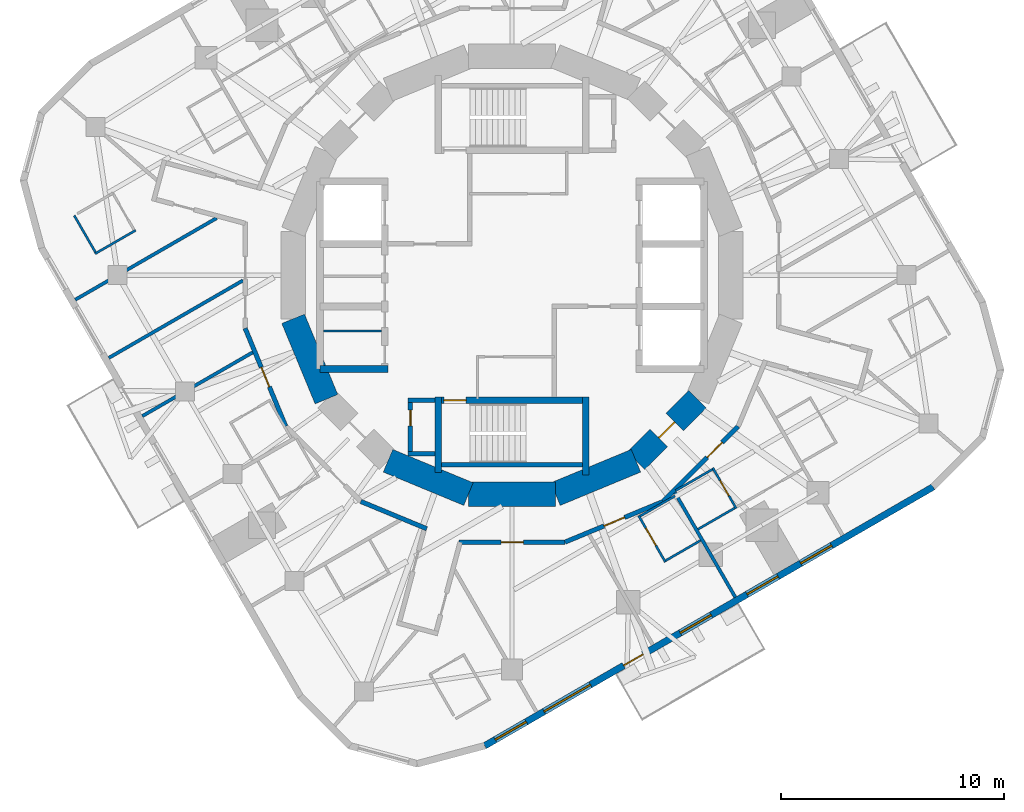
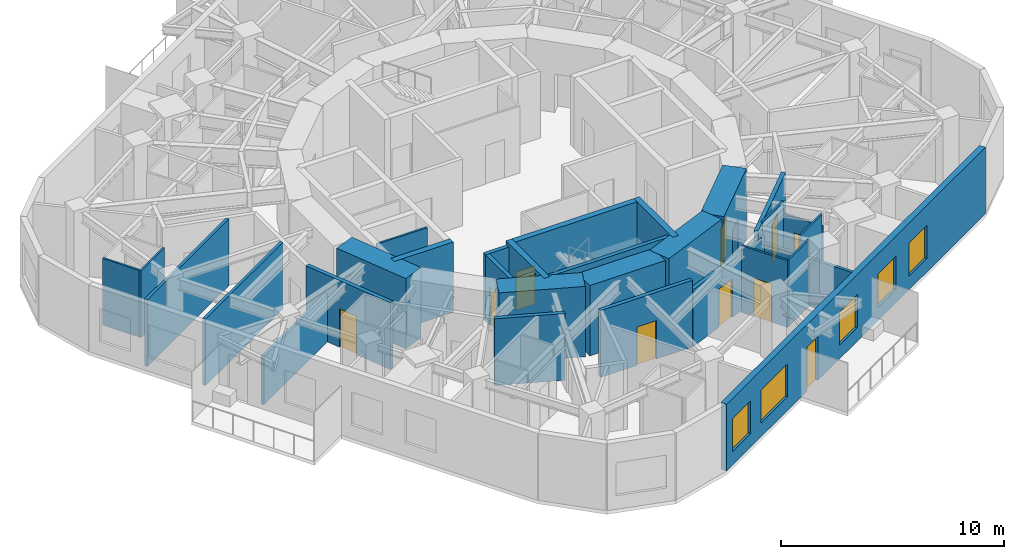
# One storey, part 5 of 12: 32 walls, 10 doors, 5 windows, 15 openings.
"""IFC4 building model written with IfcOpenShell, lengths in metres."""

from ifc_helpers import new_model, si_unit, direction, frame, frame_2d, origin, place, context, subcontext, project, spatial, rectangle, extrude, material, layer, layer_set, type_object, element, fill, save


model = new_model("IFC4")

# Units and contexts
model_context = context("Model", 3, precision=1e-05, world=origin(), true_north=direction((0.0, 1.0)))
body_context = subcontext(model_context, "Body", "Model", "MODEL_VIEW")
ifc_project = project(units=[si_unit("LENGTHUNIT", "METRE"), si_unit("AREAUNIT", "SQUARE_METRE"), si_unit("VOLUMEUNIT", "CUBIC_METRE"), si_unit("PLANEANGLEUNIT", "RADIAN"), si_unit("MASSUNIT", "GRAM", prefix="KILO")], contexts=[model_context])

# Site, building, storey
site_placement = place(None, origin())
site = spatial("IfcSite", under=ifc_project, at=site_placement, CompositionType="ELEMENT")
building_placement = place(site_placement, origin())
building = spatial("IfcBuilding", under=site, at=building_placement, Name="Nakasero Lantern House", CompositionType="ELEMENT")
storey_placement = place(building_placement, frame((0.0, 0.0, 226.949951171875)))
storey = spatial("IfcBuildingStorey", under=building, at=storey_placement, Name="L55", CompositionType="ELEMENT", Elevation=226.949951171875)

# Wall
ifc_material_1 = material(Name="Concrete C50/60", Category="concrete")
ifc_layer_1 = layer(ifc_material_1, 0.300048828125)
ifc_layer_set_1 = layer_set([ifc_layer_1], Name="Core inner wall 300")
wall_type_1 = type_object("IfcWallType", Name="Core inner wall 300", PredefinedType="SHEAR", material=ifc_layer_set_1)
wall_1_placement = place(storey_placement, frame((-8.60009765625, -4.199951171875, 0.0), z_axis=(0.0, 0.0, 1.0), x_axis=(1.0, 0.0, 0.0)))
element("IfcWall", 1, at=wall_1_placement, inside=storey, type_object=wall_type_1, Name="Core inner wall L55 LWS", PredefinedType="SHEAR", context=body_context, shape_type="SweptSolid", body=[
    extrude(rectangle(XDim=3.050048828125, YDim=0.300048828125, at=frame_2d((1.52490234375, 0.0))), origin(), (0.0, 0.0, 1.0), 3.85009765625),
])

# Wall, opening, door
wall_2_placement = place(storey_placement, frame((-3.449951171875, -5.60009765625, 0.0), z_axis=(0.0, 0.0, 1.0), x_axis=(1.0, 0.0, 0.0)))
wall_2 = element("IfcWall", 2, at=wall_2_placement, inside=storey, type_object=wall_type_1, Name="Core inner wall L55 SS", PredefinedType="SHEAR", context=body_context, shape_type="SweptSolid", body=[
    extrude(rectangle(XDim=6.89990234375, YDim=0.300048828125, at=frame_2d((3.449951171875, 0.0))), origin(), (0.0, 0.0, 1.0), 3.85009765625),
])
opening_1_placement = place(wall_2_placement, frame((0.39990234375, 0.0, 0.0)))
opening_1 = element("IfcOpeningElement", 3, at=opening_1_placement, cuts=wall_2, Name="Opening D05", PredefinedType="OPENING", context=body_context, shape_type="SweptSolid", body=[
    extrude(rectangle(XDim=1.0, YDim=2.10009765625, at=frame_2d((0.5, 1.050048828125))), frame((0.0, 0.169921875, 0.0), z_axis=(0.0, -1.0, 0.0), x_axis=(1.0, 0.0, 0.0)), (0.0, 0.0, 1.0), 0.340087890625),
])
ifc_material_2 = material(Name="Timber C24", Category="wood")
door_type_1 = type_object("IfcDoorType", Name="Core door FD60S 1000", OperationType="SINGLE_SWING_LEFT", PredefinedType="DOOR", material=ifc_material_2)
door_1_placement = place(opening_1_placement, origin())
door_1 = element("IfcDoor", 4, at=door_1_placement, inside=storey, type_object=door_type_1, Name="Door L55 D-ST2", OperationType="SINGLE_SWING_LEFT", OverallHeight=2.10009765625, OverallWidth=1.0, PredefinedType="DOOR", context=body_context, shape_type="SweptSolid", body=[
    extrude(rectangle(XDim=1.0, YDim=2.10009765625, at=frame_2d((0.5, 1.050048828125))), frame((0.0, 0.02490234375, 0.0), z_axis=(0.0, -1.0, 0.0), x_axis=(1.0, 0.0, 0.0)), (0.0, 0.0, 1.0), 0.050048828125),
])
fill(opening_1, door_1)

# Walls
wall_3_placement = place(storey_placement, frame((-3.300048828125, -5.449951171875, 0.0), z_axis=(0.0, 0.0, 1.0), x_axis=(0.0, -1.0, 0.0)))
element("IfcWall", 5, at=wall_3_placement, inside=storey, type_object=wall_type_1, Name="Core inner wall L55 SSW", PredefinedType="SHEAR", context=body_context, shape_type="SweptSolid", body=[
    extrude(rectangle(XDim=3.400146484375, YDim=0.300048828125, at=frame_2d((1.7001953125, 0.0))), origin(), (0.0, 0.0, 1.0), 3.85009765625),
])
wall_4_placement = place(storey_placement, frame((3.300048828125, -5.449951171875, 0.0), z_axis=(0.0, 0.0, 1.0), x_axis=(0.0, -1.0, 0.0)))
element("IfcWall", 6, at=wall_4_placement, inside=storey, type_object=wall_type_1, Name="Core inner wall L55 SSE", PredefinedType="SHEAR", context=body_context, shape_type="SweptSolid", body=[
    extrude(rectangle(XDim=3.5, YDim=0.300048828125, at=frame_2d((1.75, 0.0))), origin(), (0.0, 0.0, 1.0), 3.85009765625),
])
ifc_material_3 = material(Name="Blockwork", Category="masonry")
ifc_layer_2 = layer(ifc_material_3, 0.10009765625)
ifc_layer_set_2 = layer_set([ifc_layer_2], Name="Core room wall 100")
wall_type_2 = type_object("IfcWallType", Name="Core room wall 100", PredefinedType="PARTITIONING", material=ifc_layer_set_2)
wall_5_placement = place(storey_placement, frame((-8.449951171875, -2.5, 0.0), z_axis=(0.0, 0.0, 1.0), x_axis=(1.0, 0.0, 0.0)))
element("IfcWall", 7, at=wall_5_placement, inside=storey, type_object=wall_type_2, Name="Core room wall L55 CR-SH-LW1b", PredefinedType="PARTITIONING", context=body_context, shape_type="SweptSolid", body=[
    extrude(rectangle(XDim=2.599853515625, YDim=0.10009765625, at=frame_2d((1.2998046875, 0.0))), origin(), (0.0, 0.0, 1.0), 3.650146484375),
])
ifc_material_4 = material(Name="Concrete C50/60", Category="concrete")
ifc_layer_3 = layer(ifc_material_4, 1.10009765625)
ifc_layer_set_3 = layer_set([ifc_layer_3], Name="Core wall 1100")
wall_type_3 = type_object("IfcWallType", Name="Core wall 1100", PredefinedType="SHEAR", material=ifc_layer_set_3)
for number, where, z_axis, x_axis, name in (
    (8, (-9.807861328125, -1.950927734375, 0.0), (0.0, 0.0, 1.0), (0.382690736062, -0.923876507187, 0.0), "Core wall L55 facet 9"),
    (9, (-5.5556640625, -8.314697265625, 0.0), (0.0, 0.0, 1.0), (0.923876507187, -0.382690736062, 0.0), "Core wall L55 facet 11"),
    (10, (-1.950927734375, -9.807861328125, 0.0), (0.0, 0.0, 1.0), (1.0, 0.0, 0.0), "Core wall L55 facet 12"),
    (11, (1.950927734375, -9.807861328125, 0.0), (0.0, 0.0, 1.0), (0.923876507187, 0.382690736062, 0.0), "Core wall L55 facet 13"),
):
    element("IfcWall", number, at=place(storey_placement, frame(where, z_axis=z_axis, x_axis=x_axis)), inside=storey, type_object=wall_type_3, Name=name, PredefinedType="SHEAR", context=body_context, shape_type="SweptSolid", body=[
        extrude(rectangle(XDim=3.90185546875, YDim=1.10009765625, at=frame_2d((1.950927734375, 0.0))), origin(), (0.0, 0.0, 1.0), 3.85009765625),
    ])

# Wall, opening, door
wall_6_placement = place(storey_placement, frame((5.5556640625, -8.314697265625, 0.0), z_axis=(0.0, 0.0, 1.0), x_axis=(0.707106781187, 0.707106781187, 0.0)))
wall_6 = element("IfcWall", 12, at=wall_6_placement, inside=storey, type_object=wall_type_3, Name="Core wall L55 facet 14", PredefinedType="SHEAR", context=body_context, shape_type="SweptSolid", body=[
    extrude(rectangle(XDim=3.90185546875, YDim=1.10009765625, at=frame_2d((1.950927734375, 0.0))), origin(), (0.0, 0.0, 1.0), 3.85009765625),
])
opening_2_placement = place(wall_6_placement, frame((1.450927734375, 0.0, 0.0)))
opening_2 = element("IfcOpeningElement", 13, at=opening_2_placement, cuts=wall_6, Name="Opening D05", PredefinedType="OPENING", context=body_context, shape_type="SweptSolid", body=[
    extrude(rectangle(XDim=1.0, YDim=2.10009765625, at=frame_2d((0.5, 1.050048828125))), frame((0.0, 0.570068359375, 0.0), z_axis=(0.0, -1.0, 0.0), x_axis=(1.0, 0.0, 0.0)), (0.0, 0.0, 1.0), 1.14013671875),
])
door_2_placement = place(opening_2_placement, origin())
door_2 = element("IfcDoor", 14, at=door_2_placement, inside=storey, type_object=door_type_1, Name="Door L55 D-CORE14", OperationType="SINGLE_SWING_LEFT", OverallHeight=2.10009765625, OverallWidth=1.0, PredefinedType="DOOR", context=body_context, shape_type="SweptSolid", body=[
    extrude(rectangle(XDim=1.0, YDim=2.10009765625, at=frame_2d((0.5, 1.050048828125))), frame((0.0, 0.02490234375, 0.0), z_axis=(0.0, -1.0, 0.0), x_axis=(1.0, 0.0, 0.0)), (0.0, 0.0, 1.0), 0.050048828125),
])
fill(opening_2, door_2)

ifc_material_5 = material(Name="Blockwork", Category="masonry")
ifc_layer_4 = layer(ifc_material_5, 0.199951171875)
ifc_layer_set_4 = layer_set([ifc_layer_4], Name="Corridor wall 200")
wall_type_4 = type_object("IfcWallType", Name="Corridor wall 200", PredefinedType="PARTITIONING", material=ifc_layer_set_4)
wall_7_placement = place(storey_placement, frame((10.137451171875, -6.773681640625, 0.0), z_axis=(0.0, 0.0, 1.0), x_axis=(-0.707106781187, -0.707106781187, 0.0)))
wall_7 = element("IfcWall", 15, at=wall_7_placement, inside=storey, type_object=wall_type_4, Name="Corridor wall L55 RC02a", PredefinedType="PARTITIONING", context=body_context, shape_type="SweptSolid", body=[
    extrude(rectangle(XDim=4.757080078125, YDim=0.199951171875, at=frame_2d((2.37841796875, 0.0))), origin(), (0.0, 0.0, 1.0), 3.650146484375),
])
opening_3_placement = place(wall_7_placement, frame((1.02001953125, 0.0, 0.0)))
opening_3 = element("IfcOpeningElement", 16, at=opening_3_placement, cuts=wall_7, Name="Opening D01", PredefinedType="OPENING", context=body_context, shape_type="SweptSolid", body=[
    extrude(rectangle(XDim=0.949951171875, YDim=2.10009765625, at=frame_2d((0.47509765625, 1.050048828125))), frame((0.0, 0.119873046875, 0.0), z_axis=(0.0, -1.0, 0.0), x_axis=(1.0, 0.0, 0.0)), (0.0, 0.0, 1.0), 0.239990234375),
])
ifc_material_6 = material(Name="Timber C24", Category="wood")
door_type_2 = type_object("IfcDoorType", Name="Bedroom door FD30S 950", OperationType="SINGLE_SWING_LEFT", PredefinedType="DOOR", material=ifc_material_6)
door_3_placement = place(opening_3_placement, origin())
door_3 = element("IfcDoor", 17, at=door_3_placement, inside=storey, type_object=door_type_2, Name="Door L55 D3-04", OperationType="SINGLE_SWING_LEFT", OverallHeight=2.10009765625, OverallWidth=0.949951171875, PredefinedType="DOOR", context=body_context, shape_type="SweptSolid", body=[
    extrude(rectangle(XDim=0.949951171875, YDim=2.10009765625, at=frame_2d((0.47509765625, 1.050048828125))), frame((0.0, 0.02490234375, 0.0), z_axis=(0.0, -1.0, 0.0), x_axis=(1.0, 0.0, 0.0)), (0.0, 0.0, 1.0), 0.050048828125),
])
fill(opening_3, door_3)

wall_8_placement = place(storey_placement, frame((6.773681640625, -10.137451171875, 0.0), z_axis=(0.0, 0.0, 1.0), x_axis=(-0.923891735412, -0.382653970627, 0.0)))
wall_8 = element("IfcWall", 18, at=wall_8_placement, inside=storey, type_object=wall_type_4, Name="Corridor wall L55 RC03a", PredefinedType="PARTITIONING", context=body_context, shape_type="SweptSolid", body=[
    extrude(rectangle(XDim=4.757080078125, YDim=0.199951171875, at=frame_2d((2.37841796875, 0.0))), origin(), (0.0, 0.0, 1.0), 3.11328125),
])
opening_4_placement = place(wall_8_placement, frame((1.8701171875, 0.0, 0.0)))
opening_4 = element("IfcOpeningElement", 19, at=opening_4_placement, cuts=wall_8, Name="Opening D07", PredefinedType="OPENING", context=body_context, shape_type="SweptSolid", body=[
    extrude(rectangle(XDim=1.0, YDim=2.10009765625, at=frame_2d((0.5, 1.050048828125))), frame((0.0, 0.119873046875, 0.0), z_axis=(0.0, -1.0, 0.0), x_axis=(1.0, 0.0, 0.0)), (0.0, 0.0, 1.0), 0.239990234375),
])
ifc_material_7 = material(Name="Timber C24", Category="wood")
door_type_3 = type_object("IfcDoorType", Name="Room door FD30S 1000", OperationType="SINGLE_SWING_LEFT", PredefinedType="DOOR", material=ifc_material_7)
door_4_placement = place(opening_4_placement, origin())
door_4 = element("IfcDoor", 20, at=door_4_placement, inside=storey, type_object=door_type_3, Name="Door L55 D3-03", OperationType="SINGLE_SWING_LEFT", OverallHeight=2.10009765625, OverallWidth=1.0, PredefinedType="DOOR", context=body_context, shape_type="SweptSolid", body=[
    extrude(rectangle(XDim=1.0, YDim=2.10009765625, at=frame_2d((0.5, 1.050048828125))), frame((0.0, 0.02490234375, 0.0), z_axis=(0.0, -1.0, 0.0), x_axis=(1.0, 0.0, 0.0)), (0.0, 0.0, 1.0), 0.050048828125),
])
fill(opening_4, door_4)

wall_9_placement = place(storey_placement, frame((2.378662109375, -11.957763671875, 0.0), z_axis=(0.0, 0.0, 1.0), x_axis=(-1.0, 0.0, 0.0)))
wall_9 = element("IfcWall", 21, at=wall_9_placement, inside=storey, type_object=wall_type_4, Name="Corridor wall L55 RC04a", PredefinedType="PARTITIONING", context=body_context, shape_type="SweptSolid", body=[
    extrude(rectangle(XDim=4.75732421875, YDim=0.199951171875, at=frame_2d((2.378662109375, 0.0))), origin(), (0.0, 0.0, 1.0), 3.650146484375),
])
opening_5_placement = place(wall_9_placement, frame((1.8701171875, 0.0, 0.0)))
opening_5 = element("IfcOpeningElement", 22, at=opening_5_placement, cuts=wall_9, Name="Opening D03", PredefinedType="OPENING", context=body_context, shape_type="SweptSolid", body=[
    extrude(rectangle(XDim=1.0, YDim=2.10009765625, at=frame_2d((0.5, 1.050048828125))), frame((0.0, 0.119873046875, 0.0), z_axis=(0.0, -1.0, 0.0), x_axis=(1.0, 0.0, 0.0)), (0.0, 0.0, 1.0), 0.239990234375),
])
ifc_material_8 = material(Name="Timber C24", Category="wood")
door_type_4 = type_object("IfcDoorType", Name="Lounge door FD30S 1000", OperationType="SINGLE_SWING_LEFT", PredefinedType="DOOR", material=ifc_material_8)
door_5_placement = place(opening_5_placement, origin())
door_5 = element("IfcDoor", 23, at=door_5_placement, inside=storey, type_object=door_type_4, Name="Door L55 DK3", OperationType="SINGLE_SWING_LEFT", OverallHeight=2.10009765625, OverallWidth=1.0, PredefinedType="DOOR", context=body_context, shape_type="SweptSolid", body=[
    extrude(rectangle(XDim=1.0, YDim=2.10009765625, at=frame_2d((0.5, 1.050048828125))), frame((0.0, 0.02490234375, 0.0), z_axis=(0.0, -1.0, 0.0), x_axis=(1.0, 0.0, 0.0)), (0.0, 0.0, 1.0), 0.050048828125),
])
fill(opening_5, door_5)

# Wall
wall_10_placement = place(storey_placement, frame((-3.820556640625, -11.360595703125, 0.0), z_axis=(0.0, 0.0, 1.0), x_axis=(-0.923888369431, 0.382662097458, 0.0)))
element("IfcWall", 24, at=wall_10_placement, inside=storey, type_object=wall_type_4, Name="Corridor wall L55 RC05b", PredefinedType="PARTITIONING", context=body_context, shape_type="SweptSolid", body=[
    extrude(rectangle(XDim=3.1962890625, YDim=0.199951171875, at=frame_2d((1.59814453125, 0.0))), origin(), (0.0, 0.0, 1.0), 3.650146484375),
])

# Wall, opening, door
wall_11_placement = place(storey_placement, frame((-10.137451171875, -6.773681640625, 0.0), z_axis=(0.0, 0.0, 1.0), x_axis=(-0.382653970627, 0.923891735412, 0.0)))
wall_11 = element("IfcWall", 25, at=wall_11_placement, inside=storey, type_object=wall_type_4, Name="Corridor wall L55 RC07a", PredefinedType="PARTITIONING", context=body_context, shape_type="SweptSolid", body=[
    extrude(rectangle(XDim=4.757080078125, YDim=0.199951171875, at=frame_2d((2.37841796875, 0.0))), origin(), (0.0, 0.0, 1.0), 3.650146484375),
])
opening_6_placement = place(wall_11_placement, frame((1.919921875, 0.0, 0.0)))
opening_6 = element("IfcOpeningElement", 26, at=opening_6_placement, cuts=wall_11, Name="Opening D01", PredefinedType="OPENING", context=body_context, shape_type="SweptSolid", body=[
    extrude(rectangle(XDim=0.949951171875, YDim=2.10009765625, at=frame_2d((0.47509765625, 1.050048828125))), frame((0.0, 0.119873046875, 0.0), z_axis=(0.0, -1.0, 0.0), x_axis=(1.0, 0.0, 0.0)), (0.0, 0.0, 1.0), 0.239990234375),
])
door_6_placement = place(opening_6_placement, origin())
door_6 = element("IfcDoor", 27, at=door_6_placement, inside=storey, type_object=door_type_2, Name="Door L55 D2-03", OperationType="SINGLE_SWING_RIGHT", OverallHeight=2.10009765625, OverallWidth=0.949951171875, PredefinedType="DOOR", context=body_context, shape_type="SweptSolid", body=[
    extrude(rectangle(XDim=0.949951171875, YDim=2.10009765625, at=frame_2d((0.47509765625, 1.050048828125))), frame((0.0, 0.02490234375, 0.0), z_axis=(0.0, -1.0, 0.0), x_axis=(1.0, 0.0, 0.0)), (0.0, 0.0, 1.0), 0.050048828125),
])
fill(opening_6, door_6)

# Walls
ifc_material_9 = material(Name="Blockwork", Category="masonry")
ifc_layer_5 = layer(ifc_material_9, 0.10009765625)
ifc_layer_set_5 = layer_set([ifc_layer_5], Name="En-suite wall 100")
wall_type_5 = type_object("IfcWallType", Name="En-suite wall 100", PredefinedType="PARTITIONING", material=ifc_layer_set_5)
wall_12_placement = place(storey_placement, frame((-16.865478515625, 2.01171875, 0.0), z_axis=(0.0, 0.0, 1.0), x_axis=(-0.866059744384, -0.49994051562, 0.0)))
element("IfcWall", 28, at=wall_12_placement, inside=storey, type_object=wall_type_5, Name="En-suite wall L55 ES2-00", PredefinedType="PARTITIONING", context=body_context, shape_type="SweptSolid", body=[
    extrude(rectangle(XDim=2.099853515625, YDim=0.10009765625, at=frame_2d((1.0498046875, 0.0))), origin(), (0.0, 0.0, 1.0), 3.650146484375),
])
wall_13_placement = place(storey_placement, frame((-19.61572265625, 2.675537109375, 0.0), z_axis=(0.0, 0.0, 1.0), x_axis=(0.499967155389, -0.866044365799, 0.0)))
element("IfcWall", 29, at=wall_13_placement, inside=storey, type_object=wall_type_5, Name="En-suite wall L55 EE2-00", PredefinedType="PARTITIONING", context=body_context, shape_type="SweptSolid", body=[
    extrude(rectangle(XDim=1.900146484375, YDim=0.10009765625, at=frame_2d((0.9501953125, 0.0))), origin(), (0.0, 0.0, 1.0), 3.650146484375),
])

# Wall, opening, door
wall_14_placement = place(storey_placement, frame((5.67333984375, -10.774658203125, 0.0), z_axis=(0.0, 0.0, 1.0), x_axis=(0.500001309137, -0.866024647952, 0.0)))
wall_14 = element("IfcWall", 30, at=wall_14_placement, inside=storey, type_object=wall_type_5, Name="En-suite wall L55 ES3-03", PredefinedType="PARTITIONING", context=body_context, shape_type="SweptSolid", body=[
    extrude(rectangle(XDim=2.39990234375, YDim=0.10009765625, at=frame_2d((1.199951171875, 0.0))), origin(), (0.0, 0.0, 1.0), 3.650146484375),
])
opening_7_placement = place(wall_14_placement, frame((0.64990234375, 0.0, 0.0)))
opening_7 = element("IfcOpeningElement", 31, at=opening_7_placement, cuts=wall_14, Name="Opening D16", PredefinedType="OPENING", context=body_context, shape_type="SweptSolid", body=[
    extrude(rectangle(XDim=0.89990234375, YDim=2.10009765625, at=frame_2d((0.449951171875, 1.050048828125))), frame((0.0, 0.070068359375, 0.0), z_axis=(0.0, -1.0, 0.0), x_axis=(1.0, 0.0, 0.0)), (0.0, 0.0, 1.0), 0.14013671875),
])
ifc_material_10 = material(Name="Timber C24", Category="wood")
door_type_5 = type_object("IfcDoorType", Name="Accessible WC door 900", OperationType="SINGLE_SWING_RIGHT", PredefinedType="DOOR", material=ifc_material_10)
door_7_placement = place(opening_7_placement, origin())
door_7 = element("IfcDoor", 32, at=door_7_placement, inside=storey, type_object=door_type_5, Name="Door L55 DE3-03", OperationType="SINGLE_SWING_LEFT", OverallHeight=2.10009765625, OverallWidth=0.89990234375, PredefinedType="DOOR", context=body_context, shape_type="SweptSolid", body=[
    extrude(rectangle(XDim=0.89990234375, YDim=2.10009765625, at=frame_2d((0.449951171875, 1.050048828125))), frame((0.0, 0.02490234375, 0.0), z_axis=(0.0, -1.0, 0.0), x_axis=(1.0, 0.0, 0.0)), (0.0, 0.0, 1.0), 0.050048828125),
])
fill(opening_7, door_7)

# Walls
wall_15_placement = place(storey_placement, frame((6.8916015625, -12.784912109375, 0.0), z_axis=(0.0, 0.0, 1.0), x_axis=(0.865989075817, 0.500062916607, 0.0)))
element("IfcWall", 33, at=wall_15_placement, inside=storey, type_object=wall_type_5, Name="En-suite wall L55 EE3-03", PredefinedType="PARTITIONING", context=body_context, shape_type="SweptSolid", body=[
    extrude(rectangle(XDim=1.800048828125, YDim=0.10009765625, at=frame_2d((0.89990234375, 0.0))), origin(), (0.0, 0.0, 1.0), 3.650146484375),
])
wall_16_placement = place(storey_placement, frame((5.741455078125, -10.79296875, 0.0), z_axis=(0.0, 0.0, 1.0), x_axis=(0.866081705922, 0.499902469156, 0.0)))
element("IfcWall", 34, at=wall_16_placement, inside=storey, type_object=wall_type_5, Name="En-suite wall L55 EI3-03", PredefinedType="PARTITIONING", context=body_context, shape_type="SweptSolid", body=[
    extrude(rectangle(XDim=1.800048828125, YDim=0.10009765625, at=frame_2d((0.89990234375, 0.0))), origin(), (0.0, 0.0, 1.0), 3.11328125),
])

# Wall, opening, door
wall_17_placement = place(storey_placement, frame((8.997314453125, -8.632080078125, 0.0), z_axis=(0.0, 0.0, 1.0), x_axis=(0.499977374825, -0.866038466041, 0.0)))
wall_17 = element("IfcWall", 35, at=wall_17_placement, inside=storey, type_object=wall_type_5, Name="En-suite wall L55 ES3-04", PredefinedType="PARTITIONING", context=body_context, shape_type="SweptSolid", body=[
    extrude(rectangle(XDim=2.10009765625, YDim=0.10009765625, at=frame_2d((1.050048828125, 0.0))), origin(), (0.0, 0.0, 1.0), 2.966552734375),
])
opening_8_placement = place(wall_17_placement, frame((0.64990234375, 0.0, 0.0)))
opening_8 = element("IfcOpeningElement", 36, at=opening_8_placement, cuts=wall_17, Name="Opening D02", PredefinedType="OPENING", context=body_context, shape_type="SweptSolid", body=[
    extrude(rectangle(XDim=0.800048828125, YDim=2.10009765625, at=frame_2d((0.39990234375, 1.050048828125))), frame((0.0, 0.070068359375, 0.0), z_axis=(0.0, -1.0, 0.0), x_axis=(1.0, 0.0, 0.0)), (0.0, 0.0, 1.0), 0.14013671875),
])
ifc_material_11 = material(Name="Timber C24", Category="wood")
door_type_6 = type_object("IfcDoorType", Name="En-suite door 800", OperationType="SINGLE_SWING_RIGHT", PredefinedType="DOOR", material=ifc_material_11)
door_8_placement = place(opening_8_placement, origin())
door_8 = element("IfcDoor", 37, at=door_8_placement, inside=storey, type_object=door_type_6, Name="Door L55 DE3-04", OperationType="SINGLE_SWING_RIGHT", OverallHeight=2.10009765625, OverallWidth=0.800048828125, PredefinedType="DOOR", context=body_context, shape_type="SweptSolid", body=[
    extrude(rectangle(XDim=0.800048828125, YDim=2.10009765625, at=frame_2d((0.39990234375, 1.050048828125))), frame((0.0, 0.02490234375, 0.0), z_axis=(0.0, -1.0, 0.0), x_axis=(1.0, 0.0, 0.0)), (0.0, 0.0, 1.0), 0.050048828125),
])
fill(opening_8, door_8)

# Walls
for number, where, z_axis, x_axis, name in (
    (38, (8.333740234375, -11.382568359375, 0.0), (0.0, 0.0, 1.0), (0.86601224135, 0.500022797313, 0.0), "En-suite wall L55 EE3-04"),
    (39, (7.333740234375, -9.650390625, 0.0), (0.0, 0.0, 1.0), (0.86601224135, 0.500022797313, 0.0), "En-suite wall L55 EI3-04"),
):
    element("IfcWall", number, at=place(storey_placement, frame(where, z_axis=z_axis, x_axis=x_axis)), inside=storey, type_object=wall_type_5, Name=name, PredefinedType="PARTITIONING", context=body_context, shape_type="SweptSolid", body=[
        extrude(rectangle(XDim=1.89990234375, YDim=0.10009765625, at=frame_2d((0.949951171875, 0.0))), origin(), (0.0, 0.0, 1.0), 3.650146484375),
    ])

# Wall, openings, door, windows
ifc_material_12 = material(Name="Aluminium rainscreen on blockwork", Category="masonry")
ifc_layer_6 = layer(ifc_material_12, 0.300048828125)
ifc_layer_set_6 = layer_set([ifc_layer_6], Name="Facade wall 300")
wall_type_6 = type_object("IfcWallType", Name="Facade wall 300", PredefinedType="SOLIDWALL", material=ifc_layer_set_6)
wall_18_placement = place(storey_placement, frame((-1.220947265625, -21.08544921875, 0.0), z_axis=(0.0, 0.0, 1.0), x_axis=(0.86602366199, 0.500003016864, 0.0)))
wall_18 = element("IfcWall", 40, at=wall_18_placement, inside=storey, type_object=wall_type_6, Name="Facade wall L55 FW3S", PredefinedType="SOLIDWALL", context=body_context, shape_type="SweptSolid", body=[
    extrude(rectangle(XDim=23.199951171875, YDim=0.300048828125, at=frame_2d((11.60009765625, 0.0))), origin(), (0.0, 0.0, 1.0), 3.650146484375),
])
opening_9_placement = place(wall_18_placement, frame((0.5458984375, 0.0, 0.75)))
opening_9 = element("IfcOpeningElement", 41, at=opening_9_placement, cuts=wall_18, Name="Opening W01", PredefinedType="OPENING", context=body_context, shape_type="SweptSolid", body=[
    extrude(rectangle(XDim=1.60009765625, YDim=1.800048828125, at=frame_2d((0.800048828125, 0.89990234375))), frame((0.0, 0.169921875, 0.0), z_axis=(0.0, -1.0, 0.0), x_axis=(1.0, 0.0, 0.0)), (0.0, 0.0, 1.0), 0.340087890625),
])
opening_10_placement = place(wall_18_placement, frame((10.11767578125, 0.0, 0.75)))
opening_10 = element("IfcOpeningElement", 42, at=opening_10_placement, cuts=wall_18, Name="Opening W01", PredefinedType="OPENING", context=body_context, shape_type="SweptSolid", body=[
    extrude(rectangle(XDim=1.60009765625, YDim=1.800048828125, at=frame_2d((0.800048828125, 0.89990234375))), frame((0.0, 0.169921875, 0.0), z_axis=(0.0, -1.0, 0.0), x_axis=(1.0, 0.0, 0.0)), (0.0, 0.0, 1.0), 0.340087890625),
])
opening_11_placement = place(wall_18_placement, frame((13.5751953125, 0.0, 0.75)))
opening_11 = element("IfcOpeningElement", 43, at=opening_11_placement, cuts=wall_18, Name="Opening W01", PredefinedType="OPENING", context=body_context, shape_type="SweptSolid", body=[
    extrude(rectangle(XDim=1.60009765625, YDim=1.800048828125, at=frame_2d((0.800048828125, 0.89990234375))), frame((0.0, 0.169921875, 0.0), z_axis=(0.0, -1.0, 0.0), x_axis=(1.0, 0.0, 0.0)), (0.0, 0.0, 1.0), 0.340087890625),
])
opening_12_placement = place(wall_18_placement, frame((16.349609375, 0.0, 0.75)))
opening_12 = element("IfcOpeningElement", 44, at=opening_12_placement, cuts=wall_18, Name="Opening W01", PredefinedType="OPENING", context=body_context, shape_type="SweptSolid", body=[
    extrude(rectangle(XDim=1.60009765625, YDim=1.800048828125, at=frame_2d((0.800048828125, 0.89990234375))), frame((0.0, 0.169921875, 0.0), z_axis=(0.0, -1.0, 0.0), x_axis=(1.0, 0.0, 0.0)), (0.0, 0.0, 1.0), 0.340087890625),
])
opening_13_placement = place(wall_18_placement, frame((3.071044921875, 0.0, 0.75)))
opening_13 = element("IfcOpeningElement", 45, at=opening_13_placement, cuts=wall_18, Name="Opening W03", PredefinedType="OPENING", context=body_context, shape_type="SweptSolid", body=[
    extrude(rectangle(XDim=2.39990234375, YDim=1.800048828125, at=frame_2d((1.199951171875, 0.89990234375))), frame((0.0, 0.169921875, 0.0), z_axis=(0.0, -1.0, 0.0), x_axis=(1.0, 0.0, 0.0)), (0.0, 0.0, 1.0), 0.340087890625),
])
opening_14_placement = place(wall_18_placement, frame((7.1904296875, 0.0, 0.0)))
opening_14 = element("IfcOpeningElement", 46, at=opening_14_placement, cuts=wall_18, Name="Opening D04", PredefinedType="OPENING", context=body_context, shape_type="SweptSolid", body=[
    extrude(rectangle(XDim=1.0, YDim=2.39990234375, at=frame_2d((0.5, 1.199951171875))), frame((0.0, 0.169921875, 0.0), z_axis=(0.0, -1.0, 0.0), x_axis=(1.0, 0.0, 0.0)), (0.0, 0.0, 1.0), 0.340087890625),
])
ifc_material_13 = material(Name="Aluminium 6063-T6 and glass", Category="aluminium")
door_type_7 = type_object("IfcDoorType", Name="Balcony door 1000x2400", OperationType="SINGLE_SWING_RIGHT", PredefinedType="DOOR", material=ifc_material_13)
door_9_placement = place(opening_14_placement, origin())
door_9 = element("IfcDoor", 47, at=door_9_placement, inside=storey, type_object=door_type_7, Name="Balcony door L55 DB3", OperationType="SINGLE_SWING_RIGHT", OverallHeight=2.39990234375, OverallWidth=1.0, PredefinedType="DOOR", context=body_context, shape_type="SweptSolid", body=[
    extrude(rectangle(XDim=1.0, YDim=2.39990234375, at=frame_2d((0.5, 1.199951171875))), frame((0.0, 0.02490234375, 0.0), z_axis=(0.0, -1.0, 0.0), x_axis=(1.0, 0.0, 0.0)), (0.0, 0.0, 1.0), 0.050048828125),
])
fill(opening_14, door_9)
ifc_material_14 = material(Name="Aluminium 6063-T6 and glass", Category="aluminium")
window_type_1 = type_object("IfcWindowType", Name="Bedroom window 1600x1800", PartitioningType="SINGLE_PANEL", PredefinedType="WINDOW", material=ifc_material_14)
window_1_placement = place(opening_9_placement, origin())
window_1 = element("IfcWindow", 48, at=window_1_placement, inside=storey, type_object=window_type_1, Name="Window L55 WN3-00", OverallHeight=1.800048828125, OverallWidth=1.60009765625, PartitioningType="SINGLE_PANEL", PredefinedType="WINDOW", context=body_context, shape_type="SweptSolid", body=[
    extrude(rectangle(XDim=1.60009765625, YDim=1.800048828125, at=frame_2d((0.800048828125, 0.89990234375))), frame((0.0, 0.030029296875, 0.0), z_axis=(0.0, -1.0, 0.0), x_axis=(1.0, 0.0, 0.0)), (0.0, 0.0, 1.0), 0.06005859375),
])
fill(opening_9, window_1)
window_2_placement = place(opening_10_placement, origin())
window_2 = element("IfcWindow", 49, at=window_2_placement, inside=storey, type_object=window_type_1, Name="Window L55 WN3-03", OverallHeight=1.800048828125, OverallWidth=1.60009765625, PartitioningType="SINGLE_PANEL", PredefinedType="WINDOW", context=body_context, shape_type="SweptSolid", body=[
    extrude(rectangle(XDim=1.60009765625, YDim=1.800048828125, at=frame_2d((0.800048828125, 0.89990234375))), frame((0.0, 0.030029296875, 0.0), z_axis=(0.0, -1.0, 0.0), x_axis=(1.0, 0.0, 0.0)), (0.0, 0.0, 1.0), 0.06005859375),
])
fill(opening_10, window_2)
window_3_placement = place(opening_11_placement, origin())
window_3 = element("IfcWindow", 50, at=window_3_placement, inside=storey, type_object=window_type_1, Name="Window L55 WN3-04", OverallHeight=1.800048828125, OverallWidth=1.60009765625, PartitioningType="SINGLE_PANEL", PredefinedType="WINDOW", context=body_context, shape_type="SweptSolid", body=[
    extrude(rectangle(XDim=1.60009765625, YDim=1.800048828125, at=frame_2d((0.800048828125, 0.89990234375))), frame((0.0, 0.030029296875, 0.0), z_axis=(0.0, -1.0, 0.0), x_axis=(1.0, 0.0, 0.0)), (0.0, 0.0, 1.0), 0.06005859375),
])
fill(opening_11, window_3)
window_4_placement = place(opening_12_placement, origin())
window_4 = element("IfcWindow", 51, at=window_4_placement, inside=storey, type_object=window_type_1, Name="Window L55 WN3-05", OverallHeight=1.800048828125, OverallWidth=1.60009765625, PartitioningType="SINGLE_PANEL", PredefinedType="WINDOW", context=body_context, shape_type="SweptSolid", body=[
    extrude(rectangle(XDim=1.60009765625, YDim=1.800048828125, at=frame_2d((0.800048828125, 0.89990234375))), frame((0.0, 0.030029296875, 0.0), z_axis=(0.0, -1.0, 0.0), x_axis=(1.0, 0.0, 0.0)), (0.0, 0.0, 1.0), 0.06005859375),
])
fill(opening_12, window_4)
ifc_material_15 = material(Name="Aluminium 6063-T6 and glass", Category="aluminium")
window_type_2 = type_object("IfcWindowType", Name="Lounge window 2400x1800", PartitioningType="SINGLE_PANEL", PredefinedType="WINDOW", material=ifc_material_15)
window_5_placement = place(opening_13_placement, origin())
window_5 = element("IfcWindow", 52, at=window_5_placement, inside=storey, type_object=window_type_2, Name="Window L55 WK3", OverallHeight=1.800048828125, OverallWidth=2.39990234375, PartitioningType="SINGLE_PANEL", PredefinedType="WINDOW", context=body_context, shape_type="SweptSolid", body=[
    extrude(rectangle(XDim=2.39990234375, YDim=1.800048828125, at=frame_2d((1.199951171875, 0.89990234375))), frame((0.0, 0.030029296875, 0.0), z_axis=(0.0, -1.0, 0.0), x_axis=(1.0, 0.0, 0.0)), (0.0, 0.0, 1.0), 0.06005859375),
])
fill(opening_13, window_5)

# Wall, opening, door
ifc_material_16 = material(Name="Blockwork", Category="masonry")
ifc_layer_7 = layer(ifc_material_16, 0.199951171875)
ifc_layer_set_7 = layer_set([ifc_layer_7], Name="Fire lobby wall 200")
wall_type_7 = type_object("IfcWallType", Name="Fire lobby wall 200", PredefinedType="PARTITIONING", material=ifc_layer_set_7)
wall_19_placement = place(storey_placement, frame((-4.550048828125, -5.60009765625, 0.0), z_axis=(0.0, 0.0, 1.0), x_axis=(0.0, -1.0, 0.0)))
wall_19 = element("IfcWall", 53, at=wall_19_placement, inside=storey, type_object=wall_type_7, Name="Fire lobby wall L55 W-RS2W", PredefinedType="PARTITIONING", context=body_context, shape_type="SweptSolid", body=[
    extrude(rectangle(XDim=2.39990234375, YDim=0.199951171875, at=frame_2d((1.199951171875, 0.0))), origin(), (0.0, 0.0, 1.0), 3.650146484375),
])
opening_15_placement = place(wall_19_placement, frame((0.449951171875, 0.0, 0.0)))
opening_15 = element("IfcOpeningElement", 54, at=opening_15_placement, cuts=wall_19, Name="Opening D06", PredefinedType="OPENING", context=body_context, shape_type="SweptSolid", body=[
    extrude(rectangle(XDim=0.699951171875, YDim=2.10009765625, at=frame_2d((0.35009765625, 1.050048828125))), frame((0.0, 0.119873046875, 0.0), z_axis=(0.0, -1.0, 0.0), x_axis=(1.0, 0.0, 0.0)), (0.0, 0.0, 1.0), 0.239990234375),
])
ifc_material_17 = material(Name="Steel S355", Category="steel")
door_type_8 = type_object("IfcDoorType", Name="Riser door FD60 700", OperationType="SINGLE_SWING_LEFT", PredefinedType="DOOR", material=ifc_material_17)
door_10_placement = place(opening_15_placement, origin())
door_10 = element("IfcDoor", 55, at=door_10_placement, inside=storey, type_object=door_type_8, Name="Door L55 D-RS2", OperationType="SINGLE_SWING_LEFT", OverallHeight=2.10009765625, OverallWidth=0.699951171875, PredefinedType="DOOR", context=body_context, shape_type="SweptSolid", body=[
    extrude(rectangle(XDim=0.699951171875, YDim=2.10009765625, at=frame_2d((0.35009765625, 1.050048828125))), frame((0.0, 0.02490234375, 0.0), z_axis=(0.0, -1.0, 0.0), x_axis=(1.0, 0.0, 0.0)), (0.0, 0.0, 1.0), 0.050048828125),
])
fill(opening_15, door_10)

# Walls
for number, where, z_axis, x_axis, name in (
    (56, (-3.449951171875, -8.0, 0.0), (0.0, 0.0, 1.0), (-1.0, 0.0, 0.0), "Fire lobby wall L55 W-RS2S"),
    (57, (-3.449951171875, -5.60009765625, 0.0), (0.0, 0.0, 1.0), (-1.0, 0.0, 0.0), "Fire lobby wall L55 W-RS2N"),
):
    element("IfcWall", number, at=place(storey_placement, frame(where, z_axis=z_axis, x_axis=x_axis)), inside=storey, type_object=wall_type_7, Name=name, PredefinedType="PARTITIONING", context=body_context, shape_type="SweptSolid", body=[
        extrude(rectangle(XDim=1.199951171875, YDim=0.199951171875, at=frame_2d((0.60009765625, 0.0))), origin(), (0.0, 0.0, 1.0), 3.650146484375),
    ])
wall_20_placement = place(storey_placement, frame((-3.300048828125, -8.5, 0.0), z_axis=(0.0, 0.0, 1.0), x_axis=(1.0, 0.0, 0.0)))
element("IfcWall", 58, at=wall_20_placement, inside=storey, type_object=wall_type_7, Name="Fire lobby wall L55 W-STS", PredefinedType="PARTITIONING", context=body_context, shape_type="SweptSolid", body=[
    extrude(rectangle(XDim=6.60009765625, YDim=0.199951171875, at=frame_2d((3.300048828125, 0.0))), origin(), (0.0, 0.0, 1.0), 3.650146484375),
])
ifc_material_18 = material(Name="Blockwork", Category="masonry")
ifc_layer_8 = layer(ifc_material_18, 0.14990234375)
ifc_layer_set_8 = layer_set([ifc_layer_8], Name="Party wall 150")
wall_type_8 = type_object("IfcWallType", Name="Party wall 150", PredefinedType="PARTITIONING", material=ifc_layer_set_8)
wall_21_placement = place(storey_placement, frame((-13.230224609375, 2.5615234375, 0.0), z_axis=(0.0, 0.0, 1.0), x_axis=(-0.866022919989, -0.500004302036, 0.0)))
element("IfcWall", 59, at=wall_21_placement, inside=storey, type_object=wall_type_8, Name="Party wall L55 PW2-01", PredefinedType="PARTITIONING", context=body_context, shape_type="SweptSolid", body=[
    extrude(rectangle(XDim=7.3232421875, YDim=0.14990234375, at=frame_2d((3.66162109375, 0.0))), origin(), (0.0, 0.0, 1.0), 3.650146484375),
])
wall_22_placement = place(storey_placement, frame((-12.057861328125, -0.236083984375, 0.0), z_axis=(0.0, 0.0, 1.0), x_axis=(-0.866026229868, -0.499998569178, 0.0)))
element("IfcWall", 60, at=wall_22_placement, inside=storey, type_object=wall_type_8, Name="Party wall L55 PW2-02", PredefinedType="PARTITIONING", context=body_context, shape_type="SweptSolid", body=[
    extrude(rectangle(XDim=6.939453125, YDim=0.14990234375, at=frame_2d((3.4697265625, 0.0))), origin(), (0.0, 0.0, 1.0), 3.650146484375),
])
wall_23_placement = place(storey_placement, frame((-11.619140625, -3.457275390625, 0.0), z_axis=(0.0, 0.0, 1.0), x_axis=(-0.866023927955, -0.500002556202, 0.0)))
element("IfcWall", 61, at=wall_23_placement, inside=storey, type_object=wall_type_8, Name="Party wall L55 PW2-03", PredefinedType="PARTITIONING", context=body_context, shape_type="SweptSolid", body=[
    extrude(rectangle(XDim=5.708984375, YDim=0.14990234375, at=frame_2d((2.8544921875, 0.0))), origin(), (0.0, 0.0, 1.0), 2.634033203125),
])
wall_24_placement = place(storey_placement, frame((7.3037109375, -9.748779296875, 0.0), z_axis=(0.0, 0.0, 1.0), x_axis=(0.500030010259, -0.86600807666, 0.0)))
element("IfcWall", 62, at=wall_24_placement, inside=storey, type_object=wall_type_8, Name="Party wall L55 PW3-04", PredefinedType="PARTITIONING", context=body_context, shape_type="SweptSolid", body=[
    extrude(rectangle(XDim=5.405517578125, YDim=0.14990234375, at=frame_2d((2.70263671875, 0.0))), origin(), (0.0, 0.0, 1.0), 2.641845703125),
])

save(model, "model.ifc")
